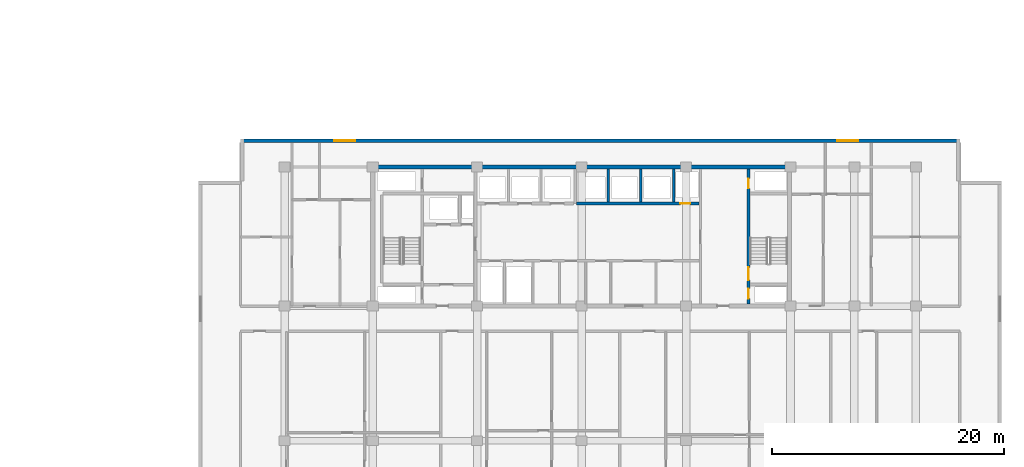
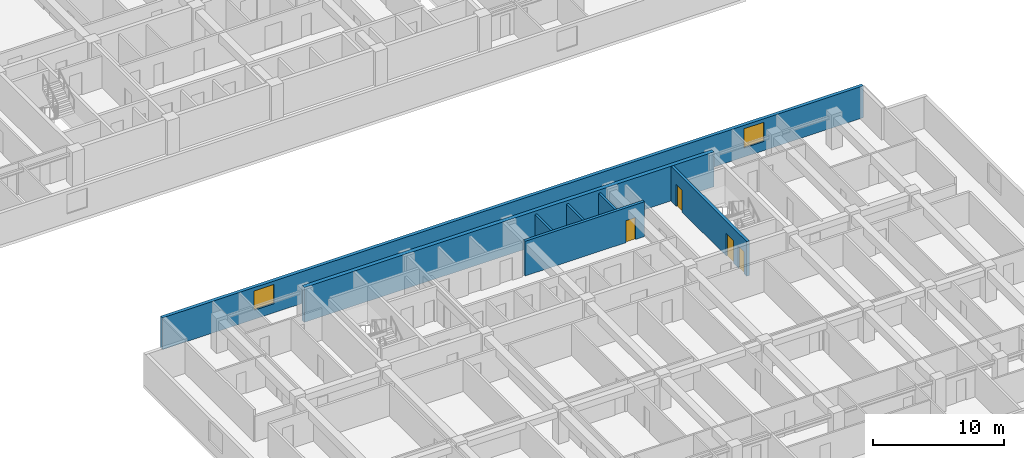
# One storey, part 7 of 23: 7 walls, 4 doors, 2 windows, 6 openings.
"""IFC4 building model written with IfcOpenShell, lengths in metres."""

import ifcopenshell
import ifcopenshell.guid

model = None  # the IFC model being written
_history = None  # IfcOwnerHistory: only IFC2X3 demands one
_inside = {}  # id of a spatial element -> (the spatial element, [elements in it])
_under = {}  # id of a project, library or spatial element -> (it, [spatial elements below it])
_declared = {}  # id of a project -> (the project, [libraries it declares])
_typed = {}  # id of a type object -> (the type object, [elements of that type])
_made_of = {}  # id of a material, layer set ... -> (it, [elements and type objects made of it])


def new_model(schema):
    """Start an empty IFC model of exactly this schema.

    Asked for "IFC4X3", IfcOpenShell would pick the latest addendum, in which some entities
    have other attributes; the version numbers below select the first issue.
    IFC2X3 requires an IfcOwnerHistory on every rooted entity: one is made here for all.
    """
    global model, _history
    if schema == "IFC4X3":
        model = ifcopenshell.file(schema_version=(4, 3, 0, 0))
    else:
        model = ifcopenshell.file(schema=schema)
    _inside.clear()
    _under.clear()
    _declared.clear()
    _typed.clear()
    _made_of.clear()
    _history = None
    if model.schema == "IFC2X3":
        org = make("IfcOrganization", Name="unknown")
        user = make(
            "IfcPersonAndOrganization",
            ThePerson=make("IfcPerson", FamilyName="unknown"),
            TheOrganization=org,
        )
        app = make(
            "IfcApplication",
            ApplicationDeveloper=org,
            Version="unknown",
            ApplicationFullName="unknown",
            ApplicationIdentifier="unknown",
        )
        _history = make(
            "IfcOwnerHistory",
            OwningUser=user,
            OwningApplication=app,
            ChangeAction="ADDED",
            CreationDate=0,
        )
    return model


def make(cls, **values):
    """One entity of the class cls with the attributes given. An attribute that is None is left unset."""
    return model.create_entity(
        cls, **{name: value for name, value in values.items() if value is not None}
    )


def rooted(cls, **values):
    """An entity with a GlobalId (a new one), such as an element, a storey or a relation."""
    return make(cls, GlobalId=ifcopenshell.guid.new(), OwnerHistory=_history, **values)


def si_unit(unit_type, name, prefix=None):
    """IfcSIUnit, for example si_unit("LENGTHUNIT", "METRE", prefix="MILLI")."""
    return make("IfcSIUnit", UnitType=unit_type, Prefix=prefix, Name=name)


def assignment(units):
    """IfcUnitAssignment: the units of a project."""
    return None if units is None else make("IfcUnitAssignment", Units=units)


def point(xyz):
    """IfcCartesianPoint."""
    return None if xyz is None else make("IfcCartesianPoint", Coordinates=xyz)


def direction(xyz):
    """IfcDirection."""
    return None if xyz is None else make("IfcDirection", DirectionRatios=xyz)


def frame(location, z_axis=None, x_axis=None):
    """IfcAxis2Placement3D, a coordinate frame: its origin and axes. An axis left out is left unset."""
    return make(
        "IfcAxis2Placement3D",
        Location=point(location),
        Axis=direction(z_axis),
        RefDirection=direction(x_axis),
    )


def frame_2d(location, x_axis=None):
    """IfcAxis2Placement2D, a coordinate frame in the plane: its origin and x axis."""
    return make(
        "IfcAxis2Placement2D", Location=point(location), RefDirection=direction(x_axis)
    )


def origin():
    """The frame at (0, 0, 0) with its axes left unset."""
    return frame((0.0, 0.0, 0.0))


def place(relative_to, where):
    """IfcLocalPlacement: puts the frame where relative to a parent placement (None: the world)."""
    return make(
        "IfcLocalPlacement", PlacementRelTo=relative_to, RelativePlacement=where
    )


def context(
    kind, dimensions, precision=None, world=None, true_north=None, identifier=None
):
    """IfcGeometricRepresentationContext, for example the 3D "Model" context."""
    return make(
        "IfcGeometricRepresentationContext",
        ContextIdentifier=identifier,
        ContextType=kind,
        CoordinateSpaceDimension=dimensions,
        Precision=precision,
        WorldCoordinateSystem=world,
        TrueNorth=true_north,
    )


def subcontext(parent, identifier, kind, view, scale=None):
    """IfcGeometricRepresentationSubContext, for example "Body" below "Model"."""
    return make(
        "IfcGeometricRepresentationSubContext",
        ContextIdentifier=identifier,
        ContextType=kind,
        ParentContext=parent,
        TargetScale=scale,
        TargetView=view,
    )


def project(units=None, contexts=None):
    """IfcProject with its units and contexts."""
    return rooted(
        "IfcProject",
        Name="project",
        RepresentationContexts=contexts,
        UnitsInContext=assignment(units),
    )


def spatial(cls, under=None, at=None, **own):
    """A site, building, storey or space (cls), placed at a placement, below another one or the project."""
    s = rooted(cls, ObjectPlacement=at, **own)
    if under is not None:
        _under.setdefault(under.id(), (under, []))[1].append(s)
    return s


def profile(cls, at=None, kind="AREA", **sizes):
    """A parametric profile (cls). Its sizes go by their IFC names, for example OverallWidth=200.0."""
    return make(cls, ProfileType=kind, Position=at, **sizes)


def rectangle(**sizes):
    """IfcRectangleProfileDef."""
    return profile("IfcRectangleProfileDef", **sizes)


def extrude(swept, where, along, depth):
    """IfcExtrudedAreaSolid: the profile swept, set in the frame where, extruded along a direction by depth."""
    return make(
        "IfcExtrudedAreaSolid",
        SweptArea=swept,
        Position=where,
        ExtrudedDirection=direction(along),
        Depth=depth,
    )


def shape(context_of_items, identifier, shape_type, items):
    """IfcShapeRepresentation: the items that make up one representation, for example the "Body"."""
    return make(
        "IfcShapeRepresentation",
        ContextOfItems=context_of_items,
        RepresentationIdentifier=identifier,
        RepresentationType=shape_type,
        Items=items,
    )


def material(Name=None, Category=None):
    """IfcMaterial."""
    return make("IfcMaterial", Name=Name, Category=Category)


def layer(
    of_material, thickness, ventilated=None, Name=None, Category=None, Priority=None
):
    """IfcMaterialLayer: one layer of a wall or slab, of a material (None: an air gap)."""
    return make(
        "IfcMaterialLayer",
        Material=of_material,
        LayerThickness=thickness,
        IsVentilated=ventilated,
        Name=Name,
        Category=Category,
        Priority=Priority,
    )


def layer_set(layers, Name=None):
    """IfcMaterialLayerSet."""
    return make("IfcMaterialLayerSet", MaterialLayers=layers, LayerSetName=Name)


def made_of(thing, what):
    """Note that an element or type object is made of a material, layer set ...; save() writes the relation."""
    if what is not None:
        _made_of.setdefault(what.id(), (what, []))[1].append(thing)
    return thing


def type_object(cls, material=None, **own):
    """A type object (cls), such as IfcWallType, which elements share."""
    return made_of(rooted(cls, **own), material)


def element(
    cls,
    number,
    at=None,
    inside=None,
    cuts=None,
    type_object=None,
    material=None,
    context=None,
    identifier="Body",
    shape_type=None,
    held_by="IfcProductDefinitionShape",
    body=None,
    shapes=None,
    **own,
):
    """One element of the class cls, such as IfcWall. Its Tag is "e" and its number.

    at: its placement. inside: the storey or other place that contains it. cuts: it is an
    opening in that element (IfcRelVoidsElement). A single representation is given by context,
    identifier, shape_type and body (its items); several are given by shapes. held_by: the class
    of the entity that holds the representations. save() writes the other relations.
    """
    e = rooted(cls, Tag="e%d" % number, ObjectPlacement=at, **own)
    if body is not None:
        shapes = [shape(context, identifier, shape_type, body)]
    if shapes is not None:
        e.Representation = make(held_by, Representations=shapes)
    if inside is not None:
        _inside.setdefault(inside.id(), (inside, []))[1].append(e)
    if cuts is not None:
        rooted(
            "IfcRelVoidsElement", RelatingBuildingElement=cuts, RelatedOpeningElement=e
        )
    if type_object is not None:
        _typed.setdefault(type_object.id(), (type_object, []))[1].append(e)
    return made_of(e, material)


def fill(opening, filler):
    """IfcRelFillsElement: the door or window that sits in an opening."""
    return rooted(
        "IfcRelFillsElement",
        RelatingOpeningElement=opening,
        RelatedBuildingElement=filler,
    )


def aggregate(whole, parts):
    """IfcRelAggregates: a whole, such as a stair, and the parts it consists of."""
    return rooted("IfcRelAggregates", RelatingObject=whole, RelatedObjects=parts)


def save(model, path):
    """Write the relations noted so far, then the file.

    IfcRelAggregates (storeys below a building ...), IfcRelContainedInSpatialStructure (elements
    in a storey), IfcRelDefinesByType, IfcRelAssociatesMaterial and IfcRelDeclares: one each for
    every whole, place, type object, material and project.
    """
    for whole, parts in _under.values():
        aggregate(whole, parts)
    for where, things in _inside.values():
        rooted(
            "IfcRelContainedInSpatialStructure",
            RelatedElements=things,
            RelatingStructure=where,
        )
    for kind, things in _typed.values():
        rooted("IfcRelDefinesByType", RelatedObjects=things, RelatingType=kind)
    for what, things in _made_of.values():
        rooted("IfcRelAssociatesMaterial", RelatedObjects=things, RelatingMaterial=what)
    for by, libraries in _declared.values():
        rooted("IfcRelDeclares", RelatingContext=by, RelatedDefinitions=libraries)
    model.write(path)


model = new_model("IFC4")

# Units and contexts
model_context = context("Model", 3, precision=1e-05, world=origin(), true_north=direction((0.0, 1.0)))
body_context = subcontext(model_context, "Body", "Model", "MODEL_VIEW")
ifc_project = project(units=[si_unit("LENGTHUNIT", "METRE"), si_unit("AREAUNIT", "SQUARE_METRE"), si_unit("VOLUMEUNIT", "CUBIC_METRE"), si_unit("PLANEANGLEUNIT", "RADIAN"), si_unit("MASSUNIT", "GRAM", prefix="KILO")], contexts=[model_context])

# Site, building, storey
site_placement = place(None, origin())
site = spatial("IfcSite", under=ifc_project, at=site_placement, CompositionType="ELEMENT")
building_placement = place(site_placement, origin())
building = spatial("IfcBuilding", under=site, at=building_placement, Name="Korimba Cascade Residences", CompositionType="ELEMENT")
storey_placement = place(building_placement, frame((0.0, 0.0, 46.75)))
storey = spatial("IfcBuildingStorey", under=building, at=storey_placement, Name="L12", CompositionType="ELEMENT", Elevation=46.75)

# Wall, openings, windows
ifc_material_1 = material(Name="Precast concrete C40/50", Category="concrete")
ifc_layer_1 = layer(ifc_material_1, 0.300048828125)
ifc_layer_set_1 = layer_set([ifc_layer_1], Name="Precast concrete C40/50")
wall_type_1 = type_object("IfcWallType", Name="EW-STONE-300", PredefinedType="STANDARD", material=ifc_layer_set_1)
wall_1_placement = place(storey_placement, frame((132.699951171875, 32.64990234375, 0.0), z_axis=(0.0, 0.0, 1.0), x_axis=(-1.0, 0.0, 0.0)))
wall_1 = element("IfcWall", 1, at=wall_1_placement, inside=storey, type_object=wall_type_1, Name="L12 T2 Perimeter Stone Wall E06", PredefinedType="STANDARD", context=body_context, shape_type="SweptSolid", body=[
    extrude(rectangle(XDim=62.0, YDim=0.300048828125, at=frame_2d((31.0, 0.0))), origin(), (0.0, 0.0, 1.0), 2.969970703125),
])
opening_1_placement = place(wall_1_placement, frame((52.125, 0.0, 0.85009765625)))
opening_1 = element("IfcOpeningElement", 2, at=opening_1_placement, cuts=wall_1, Name="Opening W-02", PredefinedType="OPENING", context=body_context, shape_type="SweptSolid", body=[
    extrude(rectangle(XDim=1.800048828125, YDim=1.800048828125, at=frame_2d((0.89990234375, 0.89990234375))), frame((0.0, 0.16015625, 0.0), z_axis=(0.0, -1.0, 0.0), x_axis=(1.0, 0.0, 0.0)), (0.0, 0.0, 1.0), 0.320068359375),
])
opening_2_placement = place(wall_1_placement, frame((8.77490234375, 0.0, 0.85009765625)))
opening_2 = element("IfcOpeningElement", 3, at=opening_2_placement, cuts=wall_1, Name="Opening W-02", PredefinedType="OPENING", context=body_context, shape_type="SweptSolid", body=[
    extrude(rectangle(XDim=1.800048828125, YDim=1.800048828125, at=frame_2d((0.89990234375, 0.89990234375))), frame((0.0, 0.16015625, 0.0), z_axis=(0.0, -1.0, 0.0), x_axis=(1.0, 0.0, 0.0)), (0.0, 0.0, 1.0), 0.320068359375),
])
ifc_material_2 = material(Name="Double-Glazed Aluminium Window", Category="aluminium")
window_type = type_object("IfcWindowType", Name="WIN-BED-1800", PartitioningType="SINGLE_PANEL", PredefinedType="WINDOW", material=ifc_material_2)
window_1_placement = place(opening_1_placement, origin())
window_1 = element("IfcWindow", 4, at=window_1_placement, inside=storey, type_object=window_type, Name="L12 T2 North Corner Bedroom Window 1", OverallHeight=1.800048828125, OverallWidth=1.800048828125, PartitioningType="SINGLE_PANEL", PredefinedType="WINDOW", context=body_context, shape_type="SweptSolid", body=[
    extrude(rectangle(XDim=1.800048828125, YDim=1.800048828125, at=frame_2d((0.89990234375, 0.89990234375))), frame((0.0, 0.030029296875, 0.0), z_axis=(0.0, -1.0, 0.0), x_axis=(1.0, 0.0, 0.0)), (0.0, 0.0, 1.0), 0.06005859375),
])
fill(opening_1, window_1)
window_2_placement = place(opening_2_placement, origin())
window_2 = element("IfcWindow", 5, at=window_2_placement, inside=storey, type_object=window_type, Name="L12 T2 North Corner Bedroom Window 2", OverallHeight=1.800048828125, OverallWidth=1.800048828125, PartitioningType="SINGLE_PANEL", PredefinedType="WINDOW", context=body_context, shape_type="SweptSolid", body=[
    extrude(rectangle(XDim=1.800048828125, YDim=1.800048828125, at=frame_2d((0.89990234375, 0.89990234375))), frame((0.0, 0.030029296875, 0.0), z_axis=(0.0, -1.0, 0.0), x_axis=(1.0, 0.0, 0.0)), (0.0, 0.0, 1.0), 0.06005859375),
])
fill(opening_2, window_2)

# Walls
ifc_material_3 = material(Name="Concrete C65/80", Category="concrete")
ifc_layer_2 = layer(ifc_material_3, 0.35009765625)
ifc_layer_set_2 = layer_set([ifc_layer_2], Name="Concrete C65/80")
wall_type_2 = type_object("IfcWallType", Name="WAL-CORE-350", PredefinedType="SHEAR", material=ifc_layer_set_2)
wall_2_placement = place(storey_placement, frame((81.925048828125, 30.39990234375, 0.0), z_axis=(0.0, 0.0, 1.0), x_axis=(1.0, 0.0, 0.0)))
element("IfcWall", 6, at=wall_2_placement, inside=storey, type_object=wall_type_2, Name="L12 Core Shear Wall CW-L12-T2-N", PredefinedType="SHEAR", context=body_context, shape_type="SweptSolid", body=[
    extrude(rectangle(XDim=36.264892578125, YDim=0.35009765625, at=frame_2d((18.13232421875, 0.0))), origin(), (0.0, 0.0, 1.0), 3.25),
])
ifc_material_4 = material(Name="Concrete C40/50", Category="concrete")
ifc_layer_3 = layer(ifc_material_4, 0.199951171875)
ifc_layer_set_3 = layer_set([ifc_layer_3], Name="Concrete C40/50")
wall_type_3 = type_object("IfcWallType", Name="WAL-PART-200", PredefinedType="PARTITIONING", material=ifc_layer_set_3)
for number, where, z_axis, x_axis, name in (
    (7, (102.39990234375, 27.3798828125, 0.0), (0.0, 0.0, 1.0), (0.0, 1.0, 0.0), "L12 Partition Wall CW-L12-T2-B2D1"),
    (8, (105.199951171875, 27.3798828125, 0.0), (0.0, 0.0, 1.0), (0.0, 1.0, 0.0), "L12 Partition Wall CW-L12-T2-B2D2"),
    (9, (108.050048828125, 27.3798828125, 0.0), (0.0, 0.0, 1.0), (0.0, 1.0, 0.0), "L12 Partition Wall CW-L12-T2-B2D3"),
):
    element("IfcWall", number, at=place(storey_placement, frame(where, z_axis=z_axis, x_axis=x_axis)), inside=storey, type_object=wall_type_3, Name=name, PredefinedType="PARTITIONING", context=body_context, shape_type="SweptSolid", body=[
        extrude(rectangle(XDim=2.820068359375, YDim=0.199951171875, at=frame_2d((1.41015625, 0.0))), origin(), (0.0, 0.0, 1.0), 2.969970703125),
    ])

# Wall, opening, door
ifc_material_5 = material(Name="Concrete C50/60", Category="concrete")
ifc_layer_4 = layer(ifc_material_5, 0.25)
ifc_layer_set_4 = layer_set([ifc_layer_4], Name="Concrete C50/60")
wall_type_4 = type_object("IfcWallType", Name="WAL-SHAFT-250", PredefinedType="SHEAR", material=ifc_layer_set_4)
wall_3_placement = place(storey_placement, frame((99.679931640625, 27.25, 0.0), z_axis=(0.0, 0.0, 1.0), x_axis=(1.0, 0.0, 0.0)))
wall_3 = element("IfcWall", 10, at=wall_3_placement, inside=storey, type_object=wall_type_4, Name="L12 Core Shear Wall CW-L12-T2-B2S", PredefinedType="SHEAR", context=body_context, shape_type="SweptSolid", body=[
    extrude(rectangle(XDim=10.5400390625, YDim=0.25, at=frame_2d((5.27001953125, 0.0))), origin(), (0.0, 0.0, 1.0), 3.25),
])
opening_3_placement = place(wall_3_placement, frame((8.919921875, 0.0, 0.0)))
opening_3 = element("IfcOpeningElement", 11, at=opening_3_placement, cuts=wall_3, Name="Opening D-RS1", PredefinedType="OPENING", context=body_context, shape_type="SweptSolid", body=[
    extrude(rectangle(XDim=0.85009765625, YDim=2.050048828125, at=frame_2d((0.425048828125, 1.02490234375))), frame((0.0, 0.135009765625, 0.0), z_axis=(0.0, -1.0, 0.0), x_axis=(1.0, 0.0, 0.0)), (0.0, 0.0, 1.0), 0.27001953125),
])
ifc_material_6 = material(Name="Fire-Rated Steel Riser Access Door", Category="steel")
door_type_1 = type_object("IfcDoorType", Name="DR-FD60-850", OperationType="NOTDEFINED", PredefinedType="DOOR", material=ifc_material_6)
door_1_placement = place(opening_3_placement, origin())
door_1 = element("IfcDoor", 12, at=door_1_placement, inside=storey, type_object=door_type_1, Name="L12 T2 Duct Door", OperationType="SINGLE_SWING_RIGHT", OverallHeight=2.050048828125, OverallWidth=0.85009765625, PredefinedType="DOOR", context=body_context, shape_type="SweptSolid", body=[
    extrude(rectangle(XDim=0.85009765625, YDim=2.050048828125, at=frame_2d((0.425048828125, 1.02490234375))), frame((0.0, 0.02490234375, 0.0), z_axis=(0.0, -1.0, 0.0), x_axis=(1.0, 0.0, 0.0)), (0.0, 0.0, 1.0), 0.050048828125),
])
fill(opening_3, door_1)

# Wall, openings, doors
wall_4_placement = place(storey_placement, frame((114.47509765625, 18.60009765625, 0.0), z_axis=(0.0, 0.0, 1.0), x_axis=(0.0, 1.0, 0.0)))
wall_4 = element("IfcWall", 13, at=wall_4_placement, inside=storey, type_object=wall_type_4, Name="L12 Core Shear Wall CW-L12-T2-STE2W", PredefinedType="SHEAR", context=body_context, shape_type="SweptSolid", body=[
    extrude(rectangle(XDim=11.599853515625, YDim=0.25, at=frame_2d((5.7998046875, 0.0))), origin(), (0.0, 0.0, 1.0), 3.25),
])
opening_4_placement = place(wall_4_placement, frame((0.449951171875, 0.0, 0.0)))
opening_4 = element("IfcOpeningElement", 14, at=opening_4_placement, cuts=wall_4, Name="Opening D-RS1", PredefinedType="OPENING", context=body_context, shape_type="SweptSolid", body=[
    extrude(rectangle(XDim=0.85009765625, YDim=2.050048828125, at=frame_2d((0.425048828125, 1.02490234375))), frame((0.0, 0.135009765625, 0.0), z_axis=(0.0, -1.0, 0.0), x_axis=(1.0, 0.0, 0.0)), (0.0, 0.0, 1.0), 0.27001953125),
])
opening_5_placement = place(wall_4_placement, frame((2.050048828125, 0.0, 0.0)))
opening_5 = element("IfcOpeningElement", 15, at=opening_5_placement, cuts=wall_4, Name="Opening D-FD1", PredefinedType="OPENING", context=body_context, shape_type="SweptSolid", body=[
    extrude(rectangle(XDim=1.10009765625, YDim=2.10009765625, at=frame_2d((0.550048828125, 1.050048828125))), frame((0.0, 0.135009765625, 0.0), z_axis=(0.0, -1.0, 0.0), x_axis=(1.0, 0.0, 0.0)), (0.0, 0.0, 1.0), 0.27001953125),
])
opening_6_placement = place(wall_4_placement, frame((9.949951171875, 0.0, 0.0)))
opening_6 = element("IfcOpeningElement", 16, at=opening_6_placement, cuts=wall_4, Name="Opening D-RS1", PredefinedType="OPENING", context=body_context, shape_type="SweptSolid", body=[
    extrude(rectangle(XDim=0.85009765625, YDim=2.050048828125, at=frame_2d((0.425048828125, 1.02490234375))), frame((0.0, 0.135009765625, 0.0), z_axis=(0.0, -1.0, 0.0), x_axis=(1.0, 0.0, 0.0)), (0.0, 0.0, 1.0), 0.27001953125),
])
ifc_material_7 = material(Name="Fire-Rated Steel Core Door", Category="steel")
door_type_2 = type_object("IfcDoorType", Name="DR-FD120-1100", OperationType="NOTDEFINED", PredefinedType="DOOR", material=ifc_material_7)
door_2_placement = place(opening_5_placement, origin())
door_2 = element("IfcDoor", 17, at=door_2_placement, inside=storey, type_object=door_type_2, Name="L12 Fire Stair ST-E2 Door", OperationType="SINGLE_SWING_LEFT", OverallHeight=2.10009765625, OverallWidth=1.10009765625, PredefinedType="DOOR", context=body_context, shape_type="SweptSolid", body=[
    extrude(rectangle(XDim=1.10009765625, YDim=2.10009765625, at=frame_2d((0.550048828125, 1.050048828125))), frame((0.0, 0.02490234375, 0.0), z_axis=(0.0, -1.0, 0.0), x_axis=(1.0, 0.0, 0.0)), (0.0, 0.0, 1.0), 0.050048828125),
])
fill(opening_5, door_2)
door_3_placement = place(opening_4_placement, origin())
door_3 = element("IfcDoor", 18, at=door_3_placement, inside=storey, type_object=door_type_1, Name="L12 T2 East Hydrant Door", OperationType="SINGLE_SWING_RIGHT", OverallHeight=2.050048828125, OverallWidth=0.85009765625, PredefinedType="DOOR", context=body_context, shape_type="SweptSolid", body=[
    extrude(rectangle(XDim=0.85009765625, YDim=2.050048828125, at=frame_2d((0.425048828125, 1.02490234375))), frame((0.0, 0.02490234375, 0.0), z_axis=(0.0, -1.0, 0.0), x_axis=(1.0, 0.0, 0.0)), (0.0, 0.0, 1.0), 0.050048828125),
])
fill(opening_4, door_3)
door_4_placement = place(opening_6_placement, origin())
door_4 = element("IfcDoor", 19, at=door_4_placement, inside=storey, type_object=door_type_1, Name="L12 T2 East Riser Door", OperationType="SINGLE_SWING_RIGHT", OverallHeight=2.050048828125, OverallWidth=0.85009765625, PredefinedType="DOOR", context=body_context, shape_type="SweptSolid", body=[
    extrude(rectangle(XDim=0.85009765625, YDim=2.050048828125, at=frame_2d((0.425048828125, 1.02490234375))), frame((0.0, 0.02490234375, 0.0), z_axis=(0.0, -1.0, 0.0), x_axis=(1.0, 0.0, 0.0)), (0.0, 0.0, 1.0), 0.050048828125),
])
fill(opening_6, door_4)

save(model, "model.ifc")
